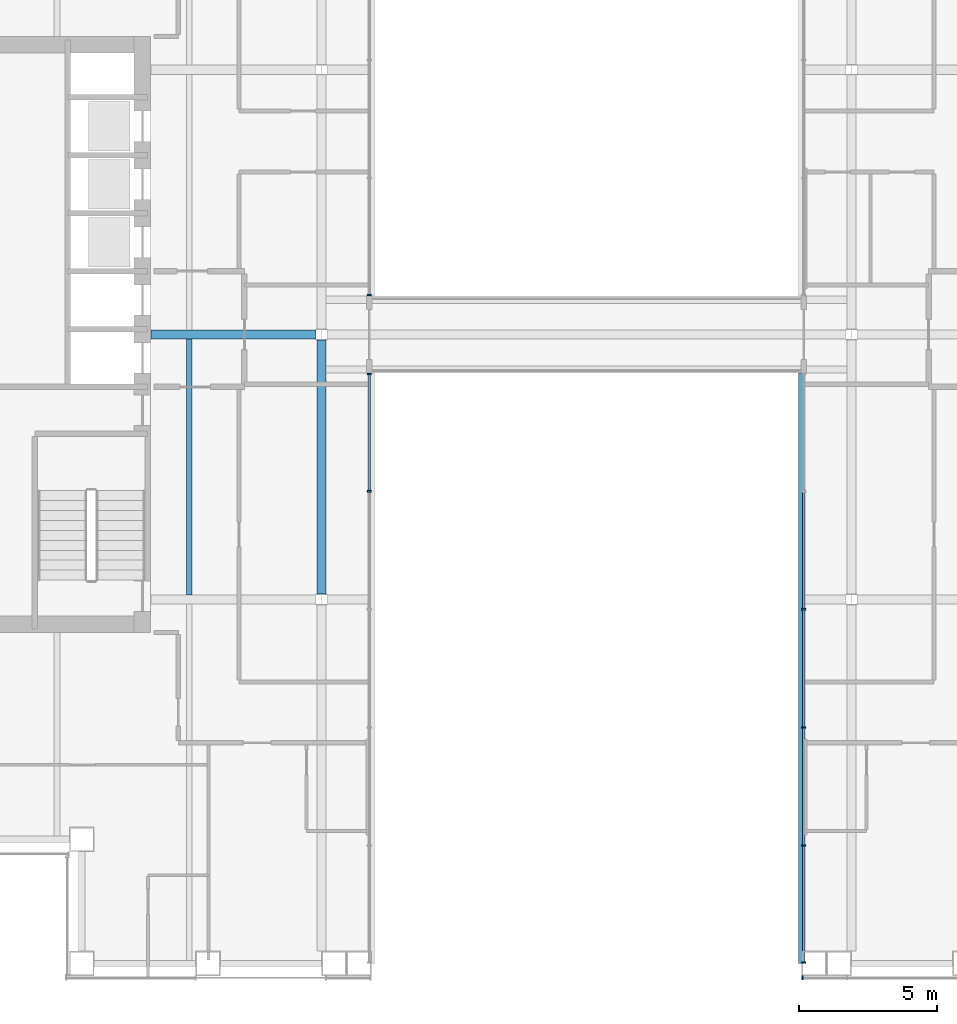
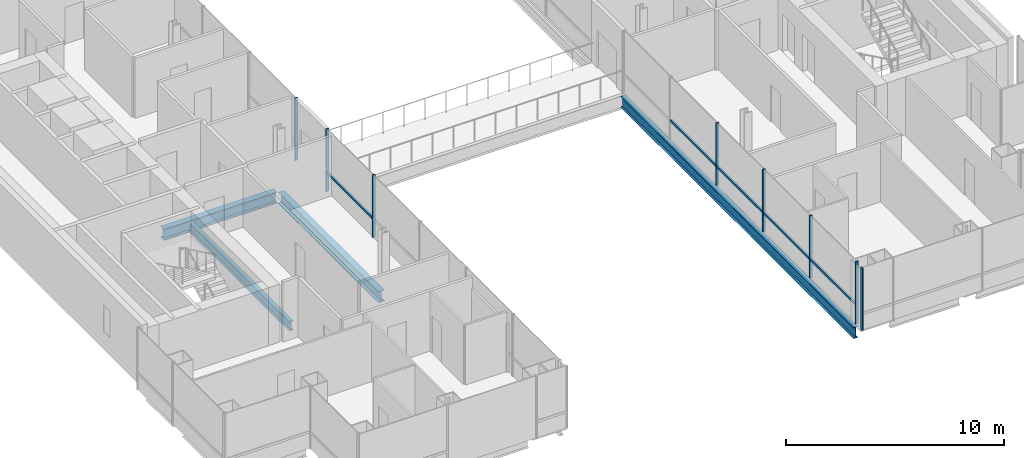
# One storey, part 3 of 16: 13 members, 4 beams, 4 elements without a shape of their own.
"""IFC4 building model written with IfcOpenShell, lengths in metres."""

from ifc_helpers import new_model, si_unit, direction, frame, origin, origin_2d, place, context, subcontext, project, spatial, rectangle, i_section, extrude, material, material_profile, profile_set, type_object, element, aggregate, save


model = new_model("IFC4")

# Units and contexts
model_context = context("Model", 3, precision=1e-05, world=origin(), true_north=direction((0.0, 1.0)))
body_context = subcontext(model_context, "Body", "Model", "MODEL_VIEW")
ifc_project = project(units=[si_unit("LENGTHUNIT", "METRE"), si_unit("AREAUNIT", "SQUARE_METRE"), si_unit("VOLUMEUNIT", "CUBIC_METRE"), si_unit("PLANEANGLEUNIT", "RADIAN"), si_unit("MASSUNIT", "GRAM", prefix="KILO")], contexts=[model_context])

# Site, building, storey
site_placement = place(None, origin())
site = spatial("IfcSite", under=ifc_project, at=site_placement, CompositionType="ELEMENT")
building_placement = place(site_placement, origin())
building = spatial("IfcBuilding", under=site, at=building_placement, Name="Cobrizo Arcos Hotel Tower", CompositionType="ELEMENT")
storey_placement = place(building_placement, frame((0.0, 0.0, 120.5)))
storey = spatial("IfcBuildingStorey", under=building, at=storey_placement, Name="L30", CompositionType="ELEMENT", Elevation=120.5)

# Curtain wall, member
ifc_material_1 = material(Name="Aluminium 6063-T6 anodised bronze", Category="aluminium")
curtain_wall_type_1 = type_object("IfcCurtainWallType", Name="CW-A guest facade", PredefinedType="NOTDEFINED", material=ifc_material_1)
curtain_wall_1_placement = place(storey_placement, origin())
curtain_wall_1 = element("IfcCurtainWall", 1, at=curtain_wall_1_placement, inside=storey, type_object=curtain_wall_type_1, Name="CW-A L30 S face", PredefinedType="NOTDEFINED")
ifc_material_profile_1 = material_profile(ifc_material_1, rectangle(XDim=0.14990234375, YDim=0.06005859375, at=origin_2d()), Name="CW-A mullion 150x60")
ifc_profile_set_1 = profile_set([ifc_material_profile_1], Name="Aluminium 6063-T6 anodised bronze")
member_type_1 = type_object("IfcMemberType", Name="CW-A mullion 150x60", PredefinedType="MULLION", material=ifc_profile_set_1)
member_1_placement = place(storey_placement, frame((7.830078125, -23.324951171875, 0.0), z_axis=(0.0, 0.0, 1.0), x_axis=(0.0, -1.0, 0.0)))
member_1 = element("IfcMember", 2, at=member_1_placement, type_object=member_type_1, Name="CW-A mullion 1", PredefinedType="MULLION", context=body_context, shape_type="SweptSolid", body=[
    extrude(rectangle(XDim=0.14990234375, YDim=0.06005859375, at=origin_2d()), origin(), (0.0, 0.0, 1.0), 3.5),
])
aggregate(curtain_wall_1, [member_1])

# Curtain wall, members
curtain_wall_type_2 = type_object("IfcCurtainWallType", Name="CW-F void screen", PredefinedType="NOTDEFINED", material=ifc_material_1)
curtain_wall_2_placement = place(storey_placement, origin())
curtain_wall_2 = element("IfcCurtainWall", 3, at=curtain_wall_2_placement, inside=storey, type_object=curtain_wall_type_2, Name="CW-F L30 void screen B", PredefinedType="NOTDEFINED")
ifc_material_profile_2 = material_profile(ifc_material_1, rectangle(XDim=0.14990234375, YDim=0.06005859375, at=origin_2d()), Name="CW-F mullion 150x60")
ifc_profile_set_2 = profile_set([ifc_material_profile_2], Name="Aluminium 6063-T6 anodised bronze")
member_type_2 = type_object("IfcMemberType", Name="CW-F mullion 150x60", PredefinedType="MULLION", material=ifc_profile_set_2)
member_2_placement = place(storey_placement, frame((7.875, -22.77001953125, 0.0), z_axis=(0.0, 0.0, 1.0), x_axis=(1.0, 0.0, 0.0)))
member_2 = element("IfcMember", 4, at=member_2_placement, type_object=member_type_2, Name="CW-F mullion 1", PredefinedType="MULLION", context=body_context, shape_type="SweptSolid", body=[
    extrude(rectangle(XDim=0.14990234375, YDim=0.06005859375, at=origin_2d()), origin(), (0.0, 0.0, 1.0), 3.5),
])
member_3_placement = place(storey_placement, frame((7.875, -18.52001953125, 0.0), z_axis=(0.0, 0.0, 1.0), x_axis=(1.0, 0.0, 0.0)))
member_3 = element("IfcMember", 5, at=member_3_placement, type_object=member_type_2, Name="CW-F mullion 2", PredefinedType="MULLION", context=body_context, shape_type="SweptSolid", body=[
    extrude(rectangle(XDim=0.14990234375, YDim=0.06005859375, at=origin_2d()), origin(), (0.0, 0.0, 1.0), 3.5),
])
member_4_placement = place(storey_placement, frame((7.875, -14.239990234375, 0.0), z_axis=(0.0, 0.0, 1.0), x_axis=(1.0, 0.0, 0.0)))
member_4 = element("IfcMember", 6, at=member_4_placement, type_object=member_type_2, Name="CW-F mullion 3", PredefinedType="MULLION", context=body_context, shape_type="SweptSolid", body=[
    extrude(rectangle(XDim=0.14990234375, YDim=0.06005859375, at=origin_2d()), origin(), (0.0, 0.0, 1.0), 3.5),
])
member_5_placement = place(storey_placement, frame((7.875, -9.9599609375, 0.0), z_axis=(0.0, 0.0, 1.0), x_axis=(1.0, 0.0, 0.0)))
member_5 = element("IfcMember", 7, at=member_5_placement, type_object=member_type_2, Name="CW-F mullion 4", PredefinedType="MULLION", context=body_context, shape_type="SweptSolid", body=[
    extrude(rectangle(XDim=0.14990234375, YDim=0.06005859375, at=origin_2d()), origin(), (0.0, 0.0, 1.0), 3.5),
])

# Curtain wall, member
curtain_wall_3_placement = place(storey_placement, origin())
curtain_wall_3 = element("IfcCurtainWall", 8, at=curtain_wall_3_placement, inside=storey, type_object=curtain_wall_type_2, Name="CW-F L30 void screen B", PredefinedType="NOTDEFINED")
member_6_placement = place(storey_placement, frame((-7.875, 1.429931640625, 0.0), z_axis=(0.0, 0.0, 1.0), x_axis=(-1.0, 0.0, 0.0)))
member_6 = element("IfcMember", 9, at=member_6_placement, type_object=member_type_2, Name="CW-F mullion 6", PredefinedType="MULLION", context=body_context, shape_type="SweptSolid", body=[
    extrude(rectangle(XDim=0.14990234375, YDim=0.06005859375, at=origin_2d()), origin(), (0.0, 0.0, 1.0), 3.5),
])
aggregate(curtain_wall_3, [member_6])

# Curtain wall, members
curtain_wall_4_placement = place(storey_placement, origin())
curtain_wall_4 = element("IfcCurtainWall", 10, at=curtain_wall_4_placement, inside=storey, type_object=curtain_wall_type_2, Name="CW-F L30 void screen B", PredefinedType="NOTDEFINED")
member_7_placement = place(storey_placement, frame((-7.875, -1.429931640625, 0.0), z_axis=(0.0, 0.0, 1.0), x_axis=(-1.0, 0.0, 0.0)))
member_7 = element("IfcMember", 11, at=member_7_placement, type_object=member_type_2, Name="CW-F mullion 1", PredefinedType="MULLION", context=body_context, shape_type="SweptSolid", body=[
    extrude(rectangle(XDim=0.14990234375, YDim=0.06005859375, at=origin_2d()), origin(), (0.0, 0.0, 1.0), 3.5),
])
member_8_placement = place(storey_placement, frame((-7.875, -5.679931640625, 0.0), z_axis=(0.0, 0.0, 1.0), x_axis=(-1.0, 0.0, 0.0)))
member_8 = element("IfcMember", 12, at=member_8_placement, type_object=member_type_2, Name="CW-F mullion 2", PredefinedType="MULLION", context=body_context, shape_type="SweptSolid", body=[
    extrude(rectangle(XDim=0.14990234375, YDim=0.06005859375, at=origin_2d()), origin(), (0.0, 0.0, 1.0), 3.5),
])

# Member
ifc_material_profile_3 = material_profile(ifc_material_1, rectangle(XDim=0.10009765625, YDim=0.1201171875, at=origin_2d()), Name="CW-F transom 120x100")
ifc_profile_set_3 = profile_set([ifc_material_profile_3], Name="Aluminium 6063-T6 anodised bronze")
member_type_3 = type_object("IfcMemberType", Name="CW-F transom 120x100", PredefinedType="USERDEFINED", material=ifc_profile_set_3)
member_9_placement = place(storey_placement, frame((7.875, -22.739990234375, 1.050048828125), z_axis=(0.0, 1.0, 0.0), x_axis=(-1.0, 0.0, 0.0)))
member_9 = element("IfcMember", 13, at=member_9_placement, type_object=member_type_3, Name="CW-F transom 2586", ObjectType="TRANSOM", PredefinedType="USERDEFINED", context=body_context, shape_type="SweptSolid", body=[
    extrude(rectangle(XDim=0.10009765625, YDim=0.1201171875, at=origin_2d()), origin(), (0.0, 0.0, 1.0), 4.18994140625),
])

member_10_placement = place(storey_placement, frame((7.875, -18.489990234375, 1.050048828125), z_axis=(0.0, 1.0, 0.0), x_axis=(-1.0, 0.0, 0.0)))
member_10 = element("IfcMember", 14, at=member_10_placement, type_object=member_type_3, Name="CW-F transom 2587", ObjectType="TRANSOM", PredefinedType="USERDEFINED", context=body_context, shape_type="SweptSolid", body=[
    extrude(rectangle(XDim=0.10009765625, YDim=0.1201171875, at=origin_2d()), origin(), (0.0, 0.0, 1.0), 4.219970703125),
])

member_11_placement = place(storey_placement, frame((7.875, -14.2099609375, 1.050048828125), z_axis=(0.0, 1.0, 0.0), x_axis=(-1.0, 0.0, 0.0)))
member_11 = element("IfcMember", 15, at=member_11_placement, type_object=member_type_3, Name="CW-F transom 2588", ObjectType="TRANSOM", PredefinedType="USERDEFINED", context=body_context, shape_type="SweptSolid", body=[
    extrude(rectangle(XDim=0.10009765625, YDim=0.1201171875, at=origin_2d()), origin(), (0.0, 0.0, 1.0), 4.219970703125),
])

member_12_placement = place(storey_placement, frame((7.875, -9.929931640625, 1.050048828125), z_axis=(0.0, 1.0, 0.0), x_axis=(-1.0, 0.0, 0.0)))
member_12 = element("IfcMember", 16, at=member_12_placement, type_object=member_type_3, Name="CW-F transom 2589", ObjectType="TRANSOM", PredefinedType="USERDEFINED", context=body_context, shape_type="SweptSolid", body=[
    extrude(rectangle(XDim=0.10009765625, YDim=0.1201171875, at=origin_2d()), origin(), (0.0, 0.0, 1.0), 4.219970703125),
])

aggregate(curtain_wall_2, [member_2, member_3, member_4, member_5, member_9, member_10, member_11, member_12])

member_13_placement = place(storey_placement, frame((-7.875, -1.4599609375, 1.050048828125), z_axis=(0.0, -1.0, 0.0), x_axis=(1.0, 0.0, 0.0)))
member_13 = element("IfcMember", 17, at=member_13_placement, type_object=member_type_3, Name="CW-F transom 2601", ObjectType="TRANSOM", PredefinedType="USERDEFINED", context=body_context, shape_type="SweptSolid", body=[
    extrude(rectangle(XDim=0.10009765625, YDim=0.1201171875, at=origin_2d()), origin(), (0.0, 0.0, 1.0), 4.18994140625),
])

aggregate(curtain_wall_4, [member_7, member_8, member_13])

# Beams
ifc_material_2 = material(Name="Steel ASTM A992 Grade 50", Category="steel")
ifc_material_profile_4 = material_profile(ifc_material_2, i_section(OverallWidth=0.209228515625, OverallDepth=0.533447265625, WebThickness=0.01025390625, FlangeThickness=0.015625, at=origin_2d()), Name="W21X62")
ifc_profile_set_4 = profile_set([ifc_material_profile_4], Name="Steel ASTM A992 Grade 50")
beam_type_1 = type_object("IfcBeamType", Name="W21X62 joist", PredefinedType="JOIST", material=ifc_profile_set_4)
beam_1_placement = place(storey_placement, frame((-14.39990234375, -9.43603515625, -0.416748046875), z_axis=(0.0, 1.0, 0.0), x_axis=(-1.0, 0.0, 0.0)))
element("IfcBeam", 18, at=beam_1_placement, inside=storey, type_object=beam_type_1, Name="Floor joist J1, L30, no. 004", PredefinedType="JOIST", context=body_context, shape_type="SweptSolid", body=[
    extrude(i_section(OverallWidth=0.209228515625, OverallDepth=0.533447265625, WebThickness=0.01025390625, FlangeThickness=0.015625, at=origin_2d()), origin(), (0.0, 0.0, 1.0), 9.272216796875),
])
ifc_material_profile_5 = material_profile(ifc_material_2, i_section(OverallWidth=0.32763671875, OverallDepth=0.622314453125, WebThickness=0.015380859375, FlangeThickness=0.0244140625, at=origin_2d()), Name="W24X131")
ifc_profile_set_5 = profile_set([ifc_material_profile_5], Name="Steel ASTM A992 Grade 50")
beam_type_2 = type_object("IfcBeamType", Name="W24X131 girder", PredefinedType="BEAM", material=ifc_profile_set_5)
beam_2_placement = place(storey_placement, frame((-15.7900390625, 0.0, -0.461181640625), z_axis=(1.0, 0.0, 0.0), x_axis=(0.0, 1.0, 0.0)))
element("IfcBeam", 19, at=beam_2_placement, inside=storey, type_object=beam_type_2, Name="Floor girder G1, L30, no. 005", PredefinedType="BEAM", context=body_context, shape_type="SweptSolid", body=[
    extrude(i_section(OverallWidth=0.32763671875, OverallDepth=0.622314453125, WebThickness=0.015380859375, FlangeThickness=0.0244140625, at=origin_2d()), origin(), (0.0, 0.0, 1.0), 5.99072265625),
])
beam_3_placement = place(storey_placement, frame((-9.60009765625, -9.400634765625, -0.461181640625), z_axis=(0.0, 1.0, 0.0), x_axis=(-1.0, 0.0, 0.0)))
element("IfcBeam", 20, at=beam_3_placement, inside=storey, type_object=beam_type_2, Name="Floor girder G1, L30, no. 013", PredefinedType="BEAM", context=body_context, shape_type="SweptSolid", body=[
    extrude(i_section(OverallWidth=0.32763671875, OverallDepth=0.622314453125, WebThickness=0.015380859375, FlangeThickness=0.0244140625, at=origin_2d()), origin(), (0.0, 0.0, 1.0), 9.201171875),
])
ifc_material_profile_6 = material_profile(ifc_material_2, i_section(OverallWidth=0.23046875, OverallDepth=0.6171875, WebThickness=0.01318359375, FlangeThickness=0.022216796875, at=origin_2d()), Name="W24X94")
ifc_profile_set_6 = profile_set([ifc_material_profile_6], Name="Steel ASTM A992 Grade 50")
beam_type_3 = type_object("IfcBeamType", Name="W24X94 spandrel", PredefinedType="SPANDREL", material=ifc_profile_set_6)
beam_4_placement = place(storey_placement, frame((7.800048828125, -22.800048828125, -0.45849609375), z_axis=(0.0, 1.0, 0.0), x_axis=(-1.0, 0.0, 0.0)))
element("IfcBeam", 21, at=beam_4_placement, inside=storey, type_object=beam_type_3, Name="Spandrel beam W24X94, L30, no. 010", PredefinedType="SPANDREL", context=body_context, shape_type="SweptSolid", body=[
    extrude(i_section(OverallWidth=0.23046875, OverallDepth=0.6171875, WebThickness=0.01318359375, FlangeThickness=0.022216796875, at=origin_2d()), origin(), (0.0, 0.0, 1.0), 21.400146484375),
])

save(model, "model.ifc")
